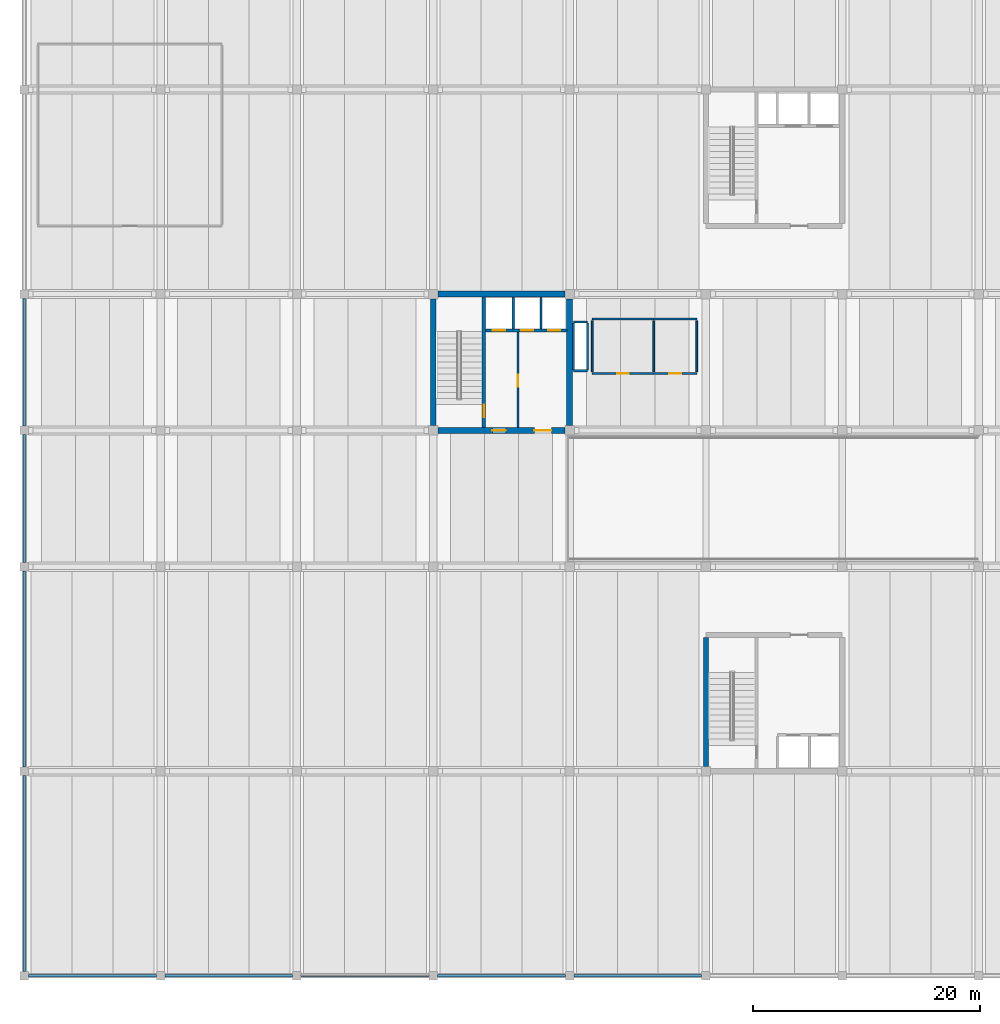
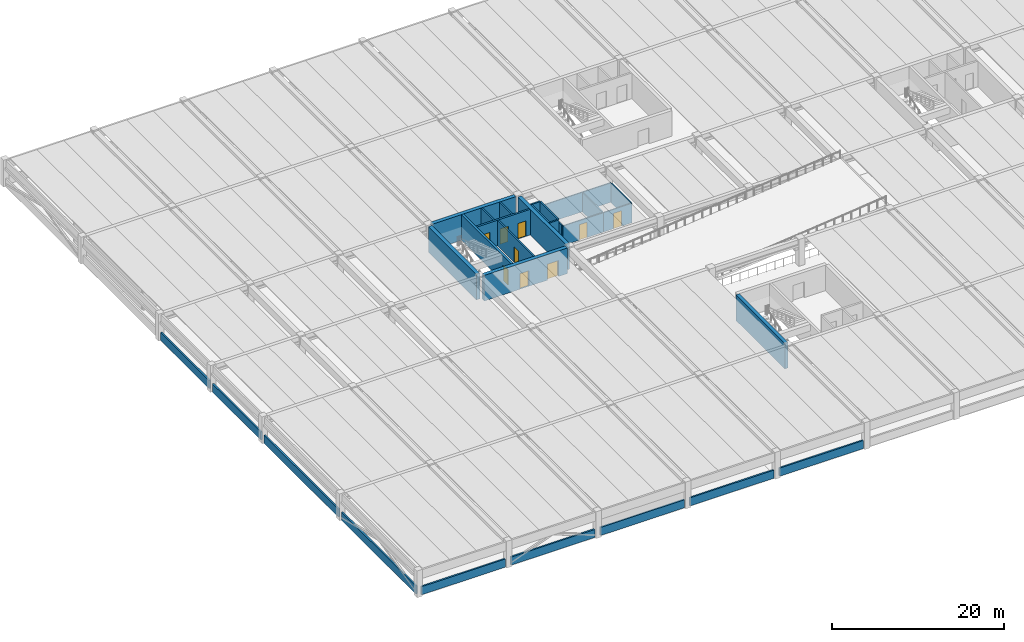
# One storey, part 6 of 14: 30 walls, 9 doors, 9 openings.
"""IFC4 building model written with IfcOpenShell, lengths in metres."""

from ifc_helpers import new_model, si_unit, direction, frame, frame_2d, origin, place, context, subcontext, project, spatial, rectangle, extrude, material, layer, layer_set, type_object, element, fill, save


model = new_model("IFC4")

# Units and contexts
model_context = context("Model", 3, precision=1e-05, world=origin(), true_north=direction((0.0, 1.0)))
body_context = subcontext(model_context, "Body", "Model", "MODEL_VIEW")
ifc_project = project(units=[si_unit("LENGTHUNIT", "METRE"), si_unit("AREAUNIT", "SQUARE_METRE"), si_unit("VOLUMEUNIT", "CUBIC_METRE"), si_unit("PLANEANGLEUNIT", "RADIAN"), si_unit("MASSUNIT", "GRAM", prefix="KILO")], contexts=[model_context])

# Site, building, storey
site_placement = place(None, origin())
site = spatial("IfcSite", under=ifc_project, at=site_placement, CompositionType="ELEMENT")
building_placement = place(site_placement, origin())
building = spatial("IfcBuilding", under=site, at=building_placement, Name="Girod Span Mobility Hub", CompositionType="ELEMENT")
storey_placement = place(building_placement, frame((0.0, 0.0, 24.800048828125)))
storey = spatial("IfcBuildingStorey", under=building, at=storey_placement, Name="L06", CompositionType="ELEMENT", Elevation=24.800048828125)

# Wall
ifc_material_1 = material(Name="Concrete C40/50", Category="concrete")
ifc_layer_1 = layer(ifc_material_1, 0.449951171875)
ifc_layer_set_1 = layer_set([ifc_layer_1], Name="Concrete C40/50")
wall_type_1 = type_object("IfcWallType", Name="W-CW-450", PredefinedType="SHEAR", material=ifc_layer_set_1)
wall_1_placement = place(storey_placement, frame((72.0, 27.39697265625, 0.0), z_axis=(0.0, 0.0, 1.0), x_axis=(0.0, 1.0, 0.0)))
element("IfcWall", 1, at=wall_1_placement, inside=storey, type_object=wall_type_1, Name="Core C3 Shear Wall W L06", PredefinedType="SHEAR", context=body_context, shape_type="SweptSolid", body=[
    extrude(rectangle(XDim=11.381103515625, YDim=0.449951171875, at=frame_2d((5.6904296875, 0.0))), origin(), (0.0, 0.0, 1.0), 3.6279296875),
])

# Wall, openings, doors
ifc_material_2 = material(Name="Concrete C40/50", Category="concrete")
ifc_layer_2 = layer(ifc_material_2, 0.5)
ifc_layer_set_2 = layer_set([ifc_layer_2], Name="Concrete C40/50")
wall_type_2 = type_object("IfcWallType", Name="W-CW-500", PredefinedType="SHEAR", material=ifc_layer_set_2)
wall_2_placement = place(storey_placement, frame((48.422119140625, 57.0, 0.0), z_axis=(0.0, 0.0, 1.0), x_axis=(1.0, 0.0, 0.0)))
wall_2 = element("IfcWall", 2, at=wall_2_placement, inside=storey, type_object=wall_type_2, Name="Core C1 Shear Wall S L06", PredefinedType="SHEAR", context=body_context, shape_type="SweptSolid", body=[
    extrude(rectangle(XDim=11.15576171875, YDim=0.5, at=frame_2d((5.577880859375, 0.0))), origin(), (0.0, 0.0, 1.0), 3.6279296875),
])
opening_1_placement = place(wall_2_placement, frame((4.778076171875, 0.0, 0.0)))
opening_1 = element("IfcOpeningElement", 3, at=opening_1_placement, cuts=wall_2, Name="Opening D-FL-C1-L06", PredefinedType="OPENING", context=body_context, shape_type="SweptSolid", body=[
    extrude(rectangle(XDim=1.199951171875, YDim=2.199951171875, at=frame_2d((0.60009765625, 1.10009765625))), frame((0.0, 0.264892578125, 0.0), z_axis=(0.0, -1.0, 0.0), x_axis=(1.0, 0.0, 0.0)), (0.0, 0.0, 1.0), 0.530029296875),
])
opening_2_placement = place(wall_2_placement, frame((8.47802734375, 0.0, 0.0)))
opening_2 = element("IfcOpeningElement", 4, at=opening_2_placement, cuts=wall_2, Name="Opening D-LB-C1-L06", PredefinedType="OPENING", context=body_context, shape_type="SweptSolid", body=[
    extrude(rectangle(XDim=1.5, YDim=2.25, at=frame_2d((0.75, 1.125))), frame((0.0, 0.264892578125, 0.0), z_axis=(0.0, -1.0, 0.0), x_axis=(1.0, 0.0, 0.0)), (0.0, 0.0, 1.0), 0.530029296875),
])
ifc_material_3 = material(Name="Fire-Rated Insulated Hollow Metal Steel", Category="steel")
door_type_1 = type_object("IfcDoorType", Name="DT-FD-03", OperationType="DOUBLE_DOOR_SINGLE_SWING", PredefinedType="DOOR", material=ifc_material_3)
door_1_placement = place(opening_2_placement, origin())
door_1 = element("IfcDoor", 5, at=door_1_placement, inside=storey, type_object=door_type_1, Name="Lift Lobby Entry Door C1 L06", OperationType="DOUBLE_DOOR_SINGLE_SWING", OverallHeight=2.25, OverallWidth=1.5, PredefinedType="DOOR", context=body_context, shape_type="SweptSolid", body=[
    extrude(rectangle(XDim=1.5, YDim=2.25, at=frame_2d((0.75, 1.125))), frame((0.0, 0.02490234375, 0.0), z_axis=(0.0, -1.0, 0.0), x_axis=(1.0, 0.0, 0.0)), (0.0, 0.0, 1.0), 0.050048828125),
])
fill(opening_2, door_1)
ifc_material_4 = material(Name="Fire-Rated Insulated Hollow Metal Steel", Category="steel")
door_type_2 = type_object("IfcDoorType", Name="DT-FD-05", OperationType="NOTDEFINED", PredefinedType="DOOR", material=ifc_material_4)
door_2_placement = place(opening_1_placement, origin())
door_2 = element("IfcDoor", 6, at=door_2_placement, inside=storey, type_object=door_type_2, Name="Firefighting Lobby Entry Door C1 L06", OperationType="SINGLE_SWING_RIGHT", OverallHeight=2.199951171875, OverallWidth=1.199951171875, PredefinedType="DOOR", context=body_context, shape_type="SweptSolid", body=[
    extrude(rectangle(XDim=1.199951171875, YDim=2.199951171875, at=frame_2d((0.60009765625, 1.10009765625))), frame((0.0, 0.02490234375, 0.0), z_axis=(0.0, -1.0, 0.0), x_axis=(1.0, 0.0, 0.0)), (0.0, 0.0, 1.0), 0.050048828125),
])
fill(opening_1, door_2)

# Walls
for number, where, z_axis, x_axis, name in (
    (7, (48.422119140625, 69.0, 0.0), (0.0, 0.0, 1.0), (1.0, 0.0, 0.0), "Core C1 Shear Wall N L06"),
    (8, (48.0, 57.422119140625, 0.0), (0.0, 0.0, 1.0), (0.0, 1.0, 0.0), "Core C1 Shear Wall W L06"),
    (9, (60.0, 57.422119140625, 0.0), (0.0, 0.0, 1.0), (0.0, 1.0, 0.0), "Core C1 Shear Wall E L06"),
):
    element("IfcWall", number, at=place(storey_placement, frame(where, z_axis=z_axis, x_axis=x_axis)), inside=storey, type_object=wall_type_2, Name=name, PredefinedType="SHEAR", context=body_context, shape_type="SweptSolid", body=[
        extrude(rectangle(XDim=11.15576171875, YDim=0.5, at=frame_2d((5.577880859375, 0.0))), origin(), (0.0, 0.0, 1.0), 3.6279296875),
    ])

# Wall, opening, door
ifc_material_5 = material(Name="Concrete C40/50", Category="concrete")
ifc_layer_3 = layer(ifc_material_5, 0.18994140625)
ifc_layer_set_3 = layer_set([ifc_layer_3], Name="Concrete C40/50")
wall_type_3 = type_object("IfcWallType", Name="W-FL-190", PredefinedType="SOLIDWALL", material=ifc_layer_set_3)
wall_3_placement = place(storey_placement, frame((55.449951171875, 57.25, 0.0), z_axis=(0.0, 0.0, 1.0), x_axis=(0.0, 1.0, 0.0)))
wall_3 = element("IfcWall", 10, at=wall_3_placement, inside=storey, type_object=wall_type_3, Name="Core C1 Firefighting Lobby Wall L06", PredefinedType="SOLIDWALL", context=body_context, shape_type="SweptSolid", body=[
    extrude(rectangle(XDim=8.429931640625, YDim=0.18994140625, at=frame_2d((4.21484375, 0.0))), origin(), (0.0, 0.0, 1.0), 3.617919921875),
])
opening_3_placement = place(wall_3_placement, frame((3.60009765625, 0.0, 0.0)))
opening_3 = element("IfcOpeningElement", 11, at=opening_3_placement, cuts=wall_3, Name="Opening D-FLX-C1-L06", PredefinedType="OPENING", context=body_context, shape_type="SweptSolid", body=[
    extrude(rectangle(XDim=1.0400390625, YDim=2.179931640625, at=frame_2d((0.52001953125, 1.08984375))), frame((0.0, 0.10986328125, 0.0), z_axis=(0.0, -1.0, 0.0), x_axis=(1.0, 0.0, 0.0)), (0.0, 0.0, 1.0), 0.219970703125),
])
ifc_material_6 = material(Name="Fire-Rated Insulated Hollow Metal Steel", Category="steel")
door_type_3 = type_object("IfcDoorType", Name="DT-FD-02", OperationType="NOTDEFINED", PredefinedType="DOOR", material=ifc_material_6)
door_3_placement = place(opening_3_placement, origin())
door_3 = element("IfcDoor", 12, at=door_3_placement, inside=storey, type_object=door_type_3, Name="Firefighting Lobby Interconnect Door C1 L06", OperationType="SINGLE_SWING_RIGHT", OverallHeight=2.179931640625, OverallWidth=1.0400390625, PredefinedType="DOOR", context=body_context, shape_type="SweptSolid", body=[
    extrude(rectangle(XDim=1.0400390625, YDim=2.179931640625, at=frame_2d((0.52001953125, 1.08984375))), frame((0.0, 0.02490234375, 0.0), z_axis=(0.0, -1.0, 0.0), x_axis=(1.0, 0.0, 0.0)), (0.0, 0.0, 1.0), 0.050048828125),
])
fill(opening_3, door_3)

# Walls
ifc_material_7 = material(Name="Precast Architectural Concrete C40/50", Category="concrete")
ifc_layer_4 = layer(ifc_material_7, 0.215087890625)
ifc_layer_set_4 = layer_set([ifc_layer_4], Name="Precast Architectural Concrete C40/50")
wall_type_4 = type_object("IfcWallType", Name="W-PAR-215", PredefinedType="PARAPET", material=ifc_layer_set_4)
for number, where, z_axis, x_axis, name in (
    (13, (12.373046875, 9.0, 0.0), (0.0, 0.0, 1.0), (1.0, 0.0, 0.0), "Precast Parking Barrier Parapet S-2 L06"),
    (14, (24.373046875, 9.0, 0.0), (0.0, 0.0, 1.0), (1.0, 0.0, 0.0), "Precast Parking Barrier Parapet S-3 L06"),
    (15, (36.373046875, 9.0, 0.0), (0.0, 0.0, 1.0), (1.0, 0.0, 0.0), "Precast Parking Barrier Parapet S-4 L06"),
    (16, (48.373046875, 9.0, 0.0), (0.0, 0.0, 1.0), (1.0, 0.0, 0.0), "Precast Parking Barrier Parapet S-5 L06"),
    (17, (60.373046875, 9.0, 0.0), (0.0, 0.0, 1.0), (1.0, 0.0, 0.0), "Precast Parking Barrier Parapet S-6 L06"),
):
    element("IfcWall", number, at=place(storey_placement, frame(where, z_axis=z_axis, x_axis=x_axis)), inside=storey, type_object=wall_type_4, Name=name, PredefinedType="PARAPET", context=body_context, shape_type="SweptSolid", body=[
        extrude(rectangle(XDim=11.25390625, YDim=0.215087890625, at=frame_2d((5.626953125, 0.0))), origin(), (0.0, 0.0, 1.0), 1.14990234375),
    ])
for number, where, z_axis, x_axis, name in (
    (18, (12.0, 9.373046875, 0.0), (0.0, 0.0, 1.0), (0.0, 1.0, 0.0), "Precast Side Barrier Parapet W-B-1 L06"),
    (19, (12.0, 27.373046875, 0.0), (0.0, 0.0, 1.0), (0.0, 1.0, 0.0), "Precast Side Barrier Parapet W-C-1 L06"),
):
    element("IfcWall", number, at=place(storey_placement, frame(where, z_axis=z_axis, x_axis=x_axis)), inside=storey, type_object=wall_type_4, Name=name, PredefinedType="PARAPET", context=body_context, shape_type="SweptSolid", body=[
        extrude(rectangle(XDim=17.25390625, YDim=0.215087890625, at=frame_2d((8.626953125, 0.0))), origin(), (0.0, 0.0, 1.0), 1.14990234375),
    ])
for number, where, z_axis, x_axis, name in (
    (20, (12.0, 45.373046875, 0.0), (0.0, 0.0, 1.0), (0.0, 1.0, 0.0), "Precast Side Barrier Parapet W-D-1 L06"),
    (21, (12.0, 57.373046875, 0.0), (0.0, 0.0, 1.0), (0.0, 1.0, 0.0), "Precast Side Barrier Parapet W-E-1 L06"),
):
    element("IfcWall", number, at=place(storey_placement, frame(where, z_axis=z_axis, x_axis=x_axis)), inside=storey, type_object=wall_type_4, Name=name, PredefinedType="PARAPET", context=body_context, shape_type="SweptSolid", body=[
        extrude(rectangle(XDim=11.25390625, YDim=0.215087890625, at=frame_2d((5.626953125, 0.0))), origin(), (0.0, 0.0, 1.0), 1.14990234375),
    ])

# Wall, opening, door
ifc_material_8 = material(Name="Fire-Rated Gypsum Board on Metal Studs", Category="gypsum")
ifc_layer_5 = layer(ifc_material_8, 0.155029296875)
ifc_layer_set_5 = layer_set([ifc_layer_5], Name="Fire-Rated Gypsum Board on Metal Studs")
wall_type_5 = type_object("IfcWallType", Name="W-PLB-155", PredefinedType="PLUMBINGWALL", material=ifc_layer_set_5)
wall_4_placement = place(storey_placement, frame((62.0, 62.0, 0.0), z_axis=(0.0, 0.0, 1.0), x_axis=(1.0, 0.0, 0.0)))
wall_4 = element("IfcWall", 22, at=wall_4_placement, inside=storey, type_object=wall_type_5, Name="Restroom L06 Partition S", PredefinedType="PLUMBINGWALL", context=body_context, shape_type="SweptSolid", body=[
    extrude(rectangle(XDim=5.39990234375, YDim=0.155029296875, at=frame_2d((2.699951171875, 0.0))), origin(), (0.0, 0.0, 1.0), 2.75),
])
opening_4_placement = place(wall_4_placement, frame((2.18505859375, 0.0, 0.0)))
opening_4 = element("IfcOpeningElement", 23, at=opening_4_placement, cuts=wall_4, Name="Opening D-L06-WC-MAIN", PredefinedType="OPENING", context=body_context, shape_type="SweptSolid", body=[
    extrude(rectangle(XDim=1.030029296875, YDim=2.169921875, at=frame_2d((0.51513671875, 1.0849609375))), frame((0.0, 0.092529296875, 0.0), z_axis=(0.0, -1.0, 0.0), x_axis=(1.0, 0.0, 0.0)), (0.0, 0.0, 1.0), 0.18505859375),
])
ifc_material_9 = material(Name="Solid-Core Architectural Timber", Category="wood")
door_type_4 = type_object("IfcDoorType", Name="DT-NR-04", OperationType="NOTDEFINED", PredefinedType="DOOR", material=ifc_material_9)
door_4_placement = place(opening_4_placement, origin())
door_4 = element("IfcDoor", 24, at=door_4_placement, inside=storey, type_object=door_type_4, Name="Restroom L06 Door", OperationType="SINGLE_SWING_RIGHT", OverallHeight=2.169921875, OverallWidth=1.030029296875, PredefinedType="DOOR", context=body_context, shape_type="SweptSolid", body=[
    extrude(rectangle(XDim=1.030029296875, YDim=2.169921875, at=frame_2d((0.51513671875, 1.0849609375))), frame((0.0, 0.02490234375, 0.0), z_axis=(0.0, -1.0, 0.0), x_axis=(1.0, 0.0, 0.0)), (0.0, 0.0, 1.0), 0.050048828125),
])
fill(opening_4, door_4)

# Walls
wall_5_placement = place(storey_placement, frame((62.0, 66.800048828125, 0.0), z_axis=(0.0, 0.0, 1.0), x_axis=(1.0, 0.0, 0.0)))
element("IfcWall", 25, at=wall_5_placement, inside=storey, type_object=wall_type_5, Name="Restroom L06 Partition N", PredefinedType="PLUMBINGWALL", context=body_context, shape_type="SweptSolid", body=[
    extrude(rectangle(XDim=5.39990234375, YDim=0.155029296875, at=frame_2d((2.699951171875, 0.0))), origin(), (0.0, 0.0, 1.0), 2.75),
])
for number, where, z_axis, x_axis, name in (
    (26, (62.0, 62.159912109375, 0.0), (0.0, 0.0, 1.0), (0.0, 1.0, 0.0), "Restroom L06 Partition W"),
    (27, (67.39990234375, 62.159912109375, 0.0), (0.0, 0.0, 1.0), (0.0, 1.0, 0.0), "Restroom L06 Partition E"),
):
    element("IfcWall", number, at=place(storey_placement, frame(where, z_axis=z_axis, x_axis=x_axis)), inside=storey, type_object=wall_type_5, Name=name, PredefinedType="PLUMBINGWALL", context=body_context, shape_type="SweptSolid", body=[
        extrude(rectangle(XDim=4.47998046875, YDim=0.155029296875, at=frame_2d((2.239990234375, 0.0))), origin(), (0.0, 0.0, 1.0), 2.75),
    ])

# Wall, opening, door
wall_6_placement = place(storey_placement, frame((67.39990234375, 62.0, 0.0), z_axis=(0.0, 0.0, 1.0), x_axis=(1.0, 0.0, 0.0)))
wall_6 = element("IfcWall", 28, at=wall_6_placement, inside=storey, type_object=wall_type_5, Name="Accessible WC L06 Partition S", PredefinedType="PLUMBINGWALL", context=body_context, shape_type="SweptSolid", body=[
    extrude(rectangle(XDim=3.800048828125, YDim=0.155029296875, at=frame_2d((1.89990234375, 0.0))), origin(), (0.0, 0.0, 1.0), 2.75),
])
opening_5_placement = place(wall_6_placement, frame((1.364990234375, 0.0, 0.0)))
opening_5 = element("IfcOpeningElement", 29, at=opening_5_placement, cuts=wall_6, Name="Opening D-L06-WC-ACC", PredefinedType="OPENING", context=body_context, shape_type="SweptSolid", body=[
    extrude(rectangle(XDim=1.070068359375, YDim=2.18994140625, at=frame_2d((0.53515625, 1.094970703125))), frame((0.0, 0.092529296875, 0.0), z_axis=(0.0, -1.0, 0.0), x_axis=(1.0, 0.0, 0.0)), (0.0, 0.0, 1.0), 0.18505859375),
])
ifc_material_10 = material(Name="Solid-Core Architectural Timber", Category="wood")
door_type_5 = type_object("IfcDoorType", Name="DT-NR-05", OperationType="NOTDEFINED", PredefinedType="DOOR", material=ifc_material_10)
door_5_placement = place(opening_5_placement, origin())
door_5 = element("IfcDoor", 30, at=door_5_placement, inside=storey, type_object=door_type_5, Name="Accessible WC L06 Door", OperationType="SINGLE_SWING_LEFT", OverallHeight=2.18994140625, OverallWidth=1.070068359375, PredefinedType="DOOR", context=body_context, shape_type="SweptSolid", body=[
    extrude(rectangle(XDim=1.070068359375, YDim=2.18994140625, at=frame_2d((0.53515625, 1.094970703125))), frame((0.0, 0.02490234375, 0.0), z_axis=(0.0, -1.0, 0.0), x_axis=(1.0, 0.0, 0.0)), (0.0, 0.0, 1.0), 0.050048828125),
])
fill(opening_5, door_5)

# Walls
wall_7_placement = place(storey_placement, frame((67.39990234375, 66.800048828125, 0.0), z_axis=(0.0, 0.0, 1.0), x_axis=(1.0, 0.0, 0.0)))
element("IfcWall", 31, at=wall_7_placement, inside=storey, type_object=wall_type_5, Name="Accessible WC L06 Partition N", PredefinedType="PLUMBINGWALL", context=body_context, shape_type="SweptSolid", body=[
    extrude(rectangle(XDim=3.800048828125, YDim=0.155029296875, at=frame_2d((1.89990234375, 0.0))), origin(), (0.0, 0.0, 1.0), 2.75),
])
wall_8_placement = place(storey_placement, frame((71.199951171875, 62.159912109375, 0.0), z_axis=(0.0, 0.0, 1.0), x_axis=(0.0, 1.0, 0.0)))
element("IfcWall", 32, at=wall_8_placement, inside=storey, type_object=wall_type_5, Name="Accessible WC L06 Partition E", PredefinedType="PLUMBINGWALL", context=body_context, shape_type="SweptSolid", body=[
    extrude(rectangle(XDim=4.47998046875, YDim=0.155029296875, at=frame_2d((2.239990234375, 0.0))), origin(), (0.0, 0.0, 1.0), 2.75),
])
ifc_material_11 = material(Name="Concrete C40/50", Category="concrete")
ifc_layer_6 = layer(ifc_material_11, 0.199951171875)
ifc_layer_set_6 = layer_set([ifc_layer_6], Name="Concrete C40/50")
wall_type_6 = type_object("IfcWallType", Name="W-SH-200", PredefinedType="SOLIDWALL", material=ifc_layer_set_6)
for number, where, z_axis, x_axis, name in (
    (33, (60.346923828125, 62.25, 0.0), (0.0, 0.0, 1.0), (1.0, 0.0, 0.0), "Sanitary Wet Riser Shaft Wall S L06"),
    (34, (60.346923828125, 66.550048828125, 0.0), (0.0, 0.0, 1.0), (1.0, 0.0, 0.0), "Sanitary Wet Riser Shaft Wall N L06"),
):
    element("IfcWall", number, at=place(storey_placement, frame(where, z_axis=z_axis, x_axis=x_axis)), inside=storey, type_object=wall_type_6, Name=name, PredefinedType="SOLIDWALL", context=body_context, shape_type="SweptSolid", body=[
        extrude(rectangle(XDim=1.233154296875, YDim=0.199951171875, at=frame_2d((0.61669921875, 0.0))), origin(), (0.0, 0.0, 1.0), 3.6279296875),
    ])
for number, where, z_axis, x_axis, name in (
    (35, (60.346923828125, 62.330078125, 0.0), (0.0, 0.0, 1.0), (0.0, 1.0, 0.0), "Sanitary Wet Riser Shaft Wall W L06"),
    (36, (61.580078125, 62.330078125, 0.0), (0.0, 0.0, 1.0), (0.0, 1.0, 0.0), "Sanitary Wet Riser Shaft Wall E L06"),
):
    element("IfcWall", number, at=place(storey_placement, frame(where, z_axis=z_axis, x_axis=x_axis)), inside=storey, type_object=wall_type_6, Name=name, PredefinedType="SOLIDWALL", context=body_context, shape_type="SweptSolid", body=[
        extrude(rectangle(XDim=4.139892578125, YDim=0.199951171875, at=frame_2d((2.06982421875, 0.0))), origin(), (0.0, 0.0, 1.0), 3.6279296875),
    ])
for number, where, z_axis, x_axis, name in (
    (37, (55.050048828125, 65.919921875, 0.0), (0.0, 0.0, 1.0), (0.0, 1.0, 0.0), "Core C1 Shaft Divider 1 L06"),
    (38, (57.47998046875, 65.919921875, 0.0), (0.0, 0.0, 1.0), (0.0, 1.0, 0.0), "Core C1 Shaft Divider 2 L06"),
):
    element("IfcWall", number, at=place(storey_placement, frame(where, z_axis=z_axis, x_axis=x_axis)), inside=storey, type_object=wall_type_6, Name=name, PredefinedType="SOLIDWALL", context=body_context, shape_type="SweptSolid", body=[
        extrude(rectangle(XDim=2.830078125, YDim=0.199951171875, at=frame_2d((1.4150390625, 0.0))), origin(), (0.0, 0.0, 1.0), 3.617919921875),
    ])

# Wall, openings, doors
ifc_material_12 = material(Name="Concrete C40/50", Category="concrete")
ifc_layer_7 = layer(ifc_material_12, 0.25)
ifc_layer_set_7 = layer_set([ifc_layer_7], Name="Concrete C40/50")
wall_type_7 = type_object("IfcWallType", Name="W-SH-250", PredefinedType="SOLIDWALL", material=ifc_layer_set_7)
wall_9_placement = place(storey_placement, frame((52.596923828125, 65.800048828125, 0.0), z_axis=(0.0, 0.0, 1.0), x_axis=(1.0, 0.0, 0.0)))
wall_9 = element("IfcWall", 39, at=wall_9_placement, inside=storey, type_object=wall_type_7, Name="Core C1 Hoistway Front Wall L06", PredefinedType="SOLIDWALL", context=body_context, shape_type="SweptSolid", body=[
    extrude(rectangle(XDim=7.156005859375, YDim=0.25, at=frame_2d((3.578125, 0.0))), origin(), (0.0, 0.0, 1.0), 3.6279296875),
])
opening_6_placement = place(wall_9_placement, frame((0.653076171875, 0.0, 0.0)))
opening_6 = element("IfcOpeningElement", 40, at=opening_6_placement, cuts=wall_9, Name="Opening LD-FL-1-L06", PredefinedType="OPENING", context=body_context, shape_type="SweptSolid", body=[
    extrude(rectangle(XDim=1.10009765625, YDim=2.239990234375, at=frame_2d((0.550048828125, 1.1201171875))), frame((0.0, 0.139892578125, 0.0), z_axis=(0.0, -1.0, 0.0), x_axis=(1.0, 0.0, 0.0)), (0.0, 0.0, 1.0), 0.280029296875),
])
opening_7_placement = place(wall_9_placement, frame((3.153076171875, 0.0, 0.0)))
opening_7 = element("IfcOpeningElement", 41, at=opening_7_placement, cuts=wall_9, Name="Opening LD-LP-1-L06", PredefinedType="OPENING", context=body_context, shape_type="SweptSolid", body=[
    extrude(rectangle(XDim=1.050048828125, YDim=2.199951171875, at=frame_2d((0.52490234375, 1.10009765625))), frame((0.0, 0.139892578125, 0.0), z_axis=(0.0, -1.0, 0.0), x_axis=(1.0, 0.0, 0.0)), (0.0, 0.0, 1.0), 0.280029296875),
])
opening_8_placement = place(wall_9_placement, frame((5.528076171875, 0.0, 0.0)))
opening_8 = element("IfcOpeningElement", 42, at=opening_8_placement, cuts=wall_9, Name="Opening LD-LP-2-L06", PredefinedType="OPENING", context=body_context, shape_type="SweptSolid", body=[
    extrude(rectangle(XDim=1.050048828125, YDim=2.199951171875, at=frame_2d((0.52490234375, 1.10009765625))), frame((0.0, 0.139892578125, 0.0), z_axis=(0.0, -1.0, 0.0), x_axis=(1.0, 0.0, 0.0)), (0.0, 0.0, 1.0), 0.280029296875),
])
ifc_material_13 = material(Name="Brushed Stainless Steel Grade 304", Category="steel")
door_type_6 = type_object("IfcDoorType", Name="LD-FL-110", OperationType="SLIDING_TO_LEFT", PredefinedType="USERDEFINED", material=ifc_material_13)
door_6_placement = place(opening_6_placement, origin())
door_6 = element("IfcDoor", 43, at=door_6_placement, inside=storey, type_object=door_type_6, Name="Lift FL-1 Sliding Landing Door L06", ObjectType="LANDING DOOR", OperationType="SLIDING_TO_LEFT", OverallHeight=2.239990234375, OverallWidth=1.10009765625, PredefinedType="USERDEFINED", context=body_context, shape_type="SweptSolid", body=[
    extrude(rectangle(XDim=1.10009765625, YDim=2.239990234375, at=frame_2d((0.550048828125, 1.1201171875))), frame((0.0, 0.02490234375, 0.0), z_axis=(0.0, -1.0, 0.0), x_axis=(1.0, 0.0, 0.0)), (0.0, 0.0, 1.0), 0.050048828125),
])
fill(opening_6, door_6)
ifc_material_14 = material(Name="Brushed Stainless Steel Grade 304", Category="steel")
door_type_7 = type_object("IfcDoorType", Name="LD-LP-105", OperationType="SLIDING_TO_LEFT", PredefinedType="USERDEFINED", material=ifc_material_14)
door_7_placement = place(opening_7_placement, origin())
door_7 = element("IfcDoor", 44, at=door_7_placement, inside=storey, type_object=door_type_7, Name="Lift LP-1 Sliding Landing Door L06", ObjectType="LANDING DOOR", OperationType="SLIDING_TO_LEFT", OverallHeight=2.199951171875, OverallWidth=1.050048828125, PredefinedType="USERDEFINED", context=body_context, shape_type="SweptSolid", body=[
    extrude(rectangle(XDim=1.050048828125, YDim=2.199951171875, at=frame_2d((0.52490234375, 1.10009765625))), frame((0.0, 0.02490234375, 0.0), z_axis=(0.0, -1.0, 0.0), x_axis=(1.0, 0.0, 0.0)), (0.0, 0.0, 1.0), 0.050048828125),
])
fill(opening_7, door_7)
door_8_placement = place(opening_8_placement, origin())
door_8 = element("IfcDoor", 45, at=door_8_placement, inside=storey, type_object=door_type_7, Name="Lift LP-2 Sliding Landing Door L06", ObjectType="LANDING DOOR", OperationType="SLIDING_TO_LEFT", OverallHeight=2.199951171875, OverallWidth=1.050048828125, PredefinedType="USERDEFINED", context=body_context, shape_type="SweptSolid", body=[
    extrude(rectangle(XDim=1.050048828125, YDim=2.199951171875, at=frame_2d((0.52490234375, 1.10009765625))), frame((0.0, 0.02490234375, 0.0), z_axis=(0.0, -1.0, 0.0), x_axis=(1.0, 0.0, 0.0)), (0.0, 0.0, 1.0), 0.050048828125),
])
fill(opening_8, door_8)

# Wall, opening, door
ifc_material_15 = material(Name="Concrete C40/50", Category="concrete")
ifc_layer_8 = layer(ifc_material_15, 0.300048828125)
ifc_layer_set_8 = layer_set([ifc_layer_8], Name="Concrete C40/50")
wall_type_8 = type_object("IfcWallType", Name="W-SH-300", PredefinedType="SHEAR", material=ifc_layer_set_8)
wall_10_placement = place(storey_placement, frame((52.449951171875, 57.2470703125, 0.0), z_axis=(0.0, 0.0, 1.0), x_axis=(0.0, 1.0, 0.0)))
wall_10 = element("IfcWall", 46, at=wall_10_placement, inside=storey, type_object=wall_type_8, Name="Core C1 Stairwell Spine Wall L06", PredefinedType="SHEAR", context=body_context, shape_type="SweptSolid", body=[
    extrude(rectangle(XDim=11.505859375, YDim=0.300048828125, at=frame_2d((5.7529296875, 0.0))), origin(), (0.0, 0.0, 1.0), 3.6279296875),
])
opening_9_placement = place(wall_10_placement, frame((0.89990234375, 0.0, 0.0)))
opening_9 = element("IfcOpeningElement", 47, at=opening_9_placement, cuts=wall_10, Name="Opening D-ST-1-L06", PredefinedType="OPENING", context=body_context, shape_type="SweptSolid", body=[
    extrude(rectangle(XDim=1.10009765625, YDim=2.199951171875, at=frame_2d((0.550048828125, 1.10009765625))), frame((0.0, 0.1650390625, 0.0), z_axis=(0.0, -1.0, 0.0), x_axis=(1.0, 0.0, 0.0)), (0.0, 0.0, 1.0), 0.330078125),
])
ifc_material_16 = material(Name="Fire-Rated Insulated Hollow Metal Steel", Category="steel")
door_type_8 = type_object("IfcDoorType", Name="DT-FD-01", OperationType="NOTDEFINED", PredefinedType="DOOR", material=ifc_material_16)
door_9_placement = place(opening_9_placement, origin())
door_9 = element("IfcDoor", 48, at=door_9_placement, inside=storey, type_object=door_type_8, Name="Stair ST-1 Fire Door L06", OperationType="SINGLE_SWING_LEFT", OverallHeight=2.199951171875, OverallWidth=1.10009765625, PredefinedType="DOOR", context=body_context, shape_type="SweptSolid", body=[
    extrude(rectangle(XDim=1.10009765625, YDim=2.199951171875, at=frame_2d((0.550048828125, 1.10009765625))), frame((0.0, 0.02490234375, 0.0), z_axis=(0.0, -1.0, 0.0), x_axis=(1.0, 0.0, 0.0)), (0.0, 0.0, 1.0), 0.050048828125),
])
fill(opening_9, door_9)

save(model, "model.ifc")
